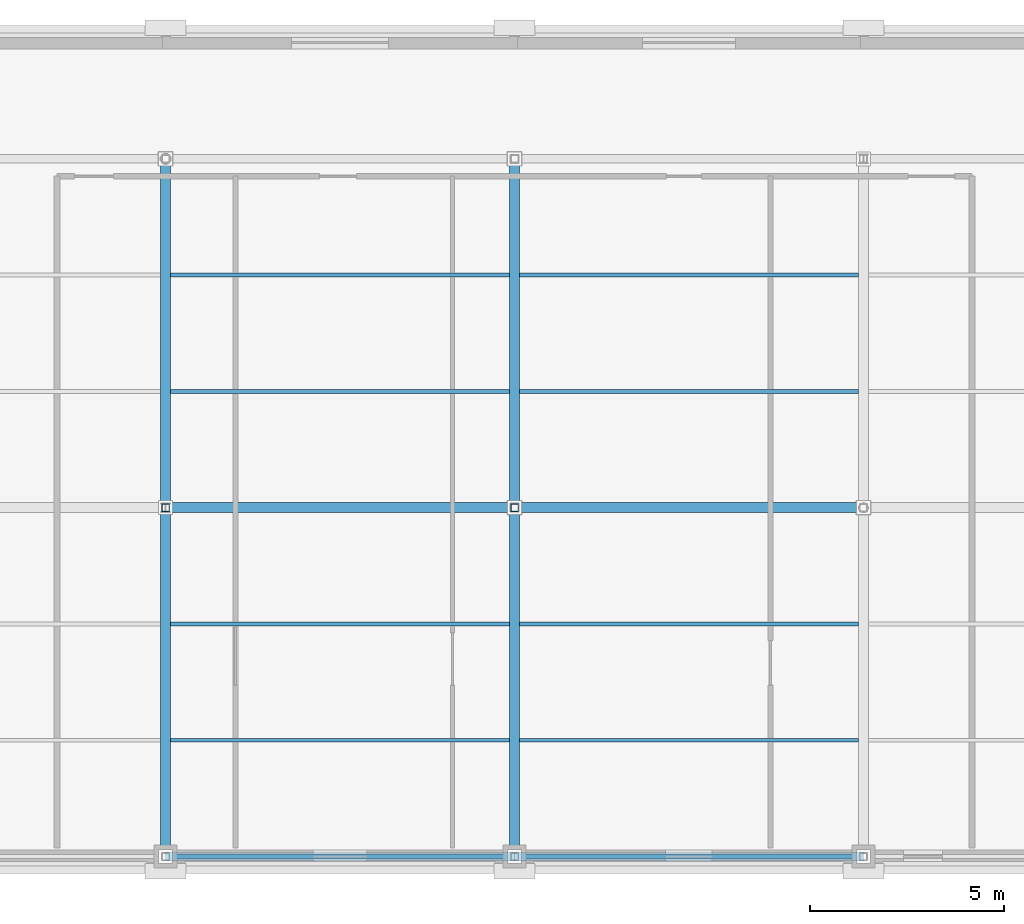
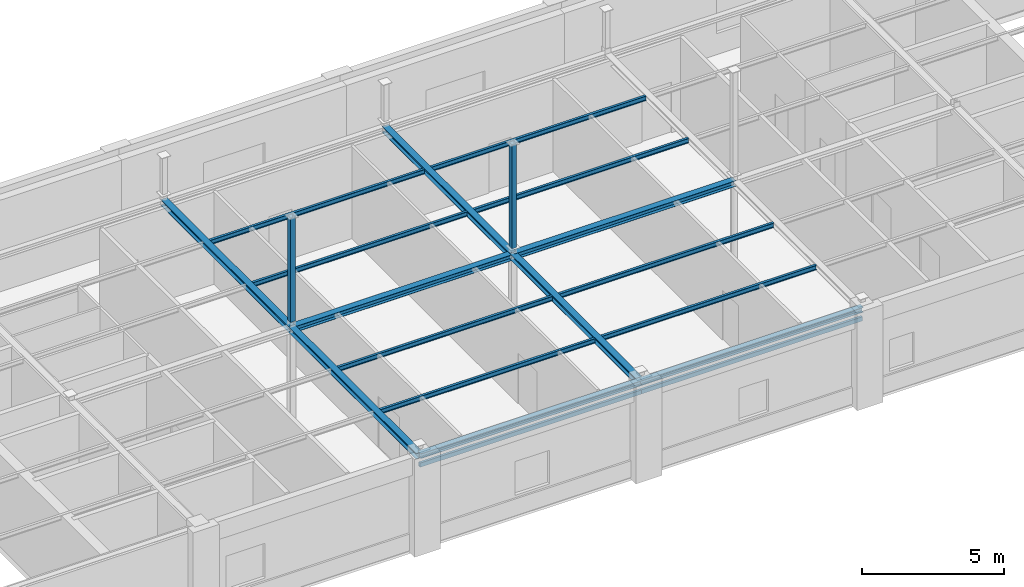
# One storey, part 4 of 13: 16 beams, 4 members.
"""IFC4 building model written with IfcOpenShell, lengths in metres."""

from ifc_helpers import new_model, si_unit, direction, frame, origin, origin_2d, place, context, subcontext, project, spatial, hollow_rectangle, i_section, extrude, material, material_profile, profile_set, type_object, element, save


model = new_model("IFC4")

# Units and contexts
model_context = context("Model", 3, precision=1e-05, world=origin(), true_north=direction((0.0, 1.0)))
body_context = subcontext(model_context, "Body", "Model", "MODEL_VIEW")
ifc_project = project(units=[si_unit("LENGTHUNIT", "METRE"), si_unit("AREAUNIT", "SQUARE_METRE"), si_unit("VOLUMEUNIT", "CUBIC_METRE"), si_unit("PLANEANGLEUNIT", "RADIAN"), si_unit("MASSUNIT", "GRAM", prefix="KILO")], contexts=[model_context])

# Site, building, storey
site_placement = place(None, origin())
site = spatial("IfcSite", under=ifc_project, at=site_placement, CompositionType="ELEMENT")
building_placement = place(site_placement, origin())
building = spatial("IfcBuilding", under=site, at=building_placement, Name="Lykobir Media Centre", CompositionType="ELEMENT")
storey_placement = place(building_placement, frame((0.0, 0.0, 36.0)))
storey = spatial("IfcBuildingStorey", under=building, at=storey_placement, Name="L08", CompositionType="ELEMENT", Elevation=36.0)

# Beams
ifc_material = material(Name="Steel S355", Category="steel")
ifc_material_profile_1 = material_profile(ifc_material, i_section(OverallWidth=0.260009765625, OverallDepth=0.25, WebThickness=0.007568359375, FlangeThickness=0.012451171875, at=origin_2d()), Name="HEA 260")
ifc_profile_set_1 = profile_set([ifc_material_profile_1], Name="Steel S355")
beam_type_1 = type_object("IfcBeamType", Name="BM-HEA260", PredefinedType="BEAM", material=ifc_profile_set_1)
for number, where, z_axis, x_axis, name in (
    (1, (45.0, 9.0, 3.85498046875), (1.0, 0.0, 0.0), (0.0, 1.0, 0.0), "Beam BM-L08-0450-0090-0540-0090-3985"),
    (2, (54.0, 9.0, 3.85498046875), (1.0, 0.0, 0.0), (0.0, 1.0, 0.0), "Beam BM-L08-0540-0090-0630-0090-3985"),
    (3, (45.0, 0.0, 3.85498046875), (0.0, 1.0, 0.0), (-1.0, 0.0, 0.0), "Beam BM-L08-0450-0000-0450-0090-3985"),
    (4, (45.0, 9.0, 3.85498046875), (0.0, 1.0, 0.0), (-1.0, 0.0, 0.0), "Beam BM-L08-0450-0090-0450-0180-3985"),
    (5, (54.0, 0.0, 3.85498046875), (0.0, 1.0, 0.0), (-1.0, 0.0, 0.0), "Beam BM-L08-0540-0000-0540-0090-3985"),
    (6, (54.0, 9.0, 3.85498046875), (0.0, 1.0, 0.0), (-1.0, 0.0, 0.0), "Beam BM-L08-0540-0090-0540-0180-3985"),
):
    element("IfcBeam", number, at=place(storey_placement, frame(where, z_axis=z_axis, x_axis=x_axis)), inside=storey, type_object=beam_type_1, Name=name, PredefinedType="BEAM", context=body_context, shape_type="SweptSolid", body=[
        extrude(i_section(OverallWidth=0.260009765625, OverallDepth=0.25, WebThickness=0.007568359375, FlangeThickness=0.012451171875, at=origin_2d()), origin(), (0.0, 0.0, 1.0), 9.0),
    ])
ifc_material_profile_2 = material_profile(ifc_material, i_section(OverallWidth=0.10009765625, OverallDepth=0.199951171875, WebThickness=0.005615234375, FlangeThickness=0.008544921875, at=origin_2d()), Name="IPE 200")
ifc_profile_set_2 = profile_set([ifc_material_profile_2], Name="Steel S355")
beam_type_2 = type_object("IfcBeamType", Name="JS-IPE200", PredefinedType="JOIST", material=ifc_profile_set_2)
for number, where, z_axis, x_axis, name in (
    (7, (45.1298828125, 3.0, 3.8798828125), (1.0, 0.0, 0.0), (0.0, 1.0, 0.0), "Beam BM-L08-0451-0030-0539-0030-3988"),
    (8, (45.1298828125, 6.0, 3.8798828125), (1.0, 0.0, 0.0), (0.0, 1.0, 0.0), "Beam BM-L08-0451-0060-0539-0060-3988"),
    (9, (45.1298828125, 12.0, 3.8798828125), (1.0, 0.0, 0.0), (0.0, 1.0, 0.0), "Beam BM-L08-0451-0120-0539-0120-3988"),
    (10, (45.1298828125, 15.0, 3.8798828125), (1.0, 0.0, 0.0), (0.0, 1.0, 0.0), "Beam BM-L08-0451-0150-0539-0150-3988"),
    (11, (54.1298828125, 3.0, 3.8798828125), (1.0, 0.0, 0.0), (0.0, 1.0, 0.0), "Beam BM-L08-0541-0030-0629-0030-3988"),
    (12, (54.1298828125, 6.0, 3.8798828125), (1.0, 0.0, 0.0), (0.0, 1.0, 0.0), "Beam BM-L08-0541-0060-0629-0060-3988"),
    (13, (54.1298828125, 12.0, 3.8798828125), (1.0, 0.0, 0.0), (0.0, 1.0, 0.0), "Beam BM-L08-0541-0120-0629-0120-3988"),
    (14, (54.1298828125, 15.0, 3.8798828125), (1.0, 0.0, 0.0), (0.0, 1.0, 0.0), "Beam BM-L08-0541-0150-0629-0150-3988"),
):
    element("IfcBeam", number, at=place(storey_placement, frame(where, z_axis=z_axis, x_axis=x_axis)), inside=storey, type_object=beam_type_2, Name=name, PredefinedType="JOIST", context=body_context, shape_type="SweptSolid", body=[
        extrude(i_section(OverallWidth=0.10009765625, OverallDepth=0.199951171875, WebThickness=0.005615234375, FlangeThickness=0.008544921875, at=origin_2d()), origin(), (0.0, 0.0, 1.0), 8.740234375),
    ])
ifc_material_profile_3 = material_profile(ifc_material, i_section(OverallWidth=0.219970703125, OverallDepth=0.2099609375, WebThickness=0.007080078125, FlangeThickness=0.010986328125, at=origin_2d()), Name="HEA 220")
ifc_profile_set_3 = profile_set([ifc_material_profile_3], Name="Steel S355")
beam_type_3 = type_object("IfcBeamType", Name="SP-HEA220-E", PredefinedType="SPANDREL", material=ifc_profile_set_3)
for number, where, z_axis, x_axis, name in (
    (15, (45.0, 0.0, 3.875), (1.0, 0.0, 0.0), (0.0, 1.0, 0.0), "Beam BM-L08-0450-0000-0540-0000-3988"),
    (16, (54.0, 0.0, 3.875), (1.0, 0.0, 0.0), (0.0, 1.0, 0.0), "Beam BM-L08-0540-0000-0630-0000-3988"),
):
    element("IfcBeam", number, at=place(storey_placement, frame(where, z_axis=z_axis, x_axis=x_axis)), inside=storey, type_object=beam_type_3, Name=name, PredefinedType="SPANDREL", context=body_context, shape_type="SweptSolid", body=[
        extrude(i_section(OverallWidth=0.219970703125, OverallDepth=0.2099609375, WebThickness=0.007080078125, FlangeThickness=0.010986328125, at=origin_2d()), origin(), (0.0, 0.0, 1.0), 9.0),
    ])

# Members
ifc_material_profile_4 = material_profile(ifc_material, hollow_rectangle(XDim=0.10009765625, YDim=0.179931640625, WallThickness=0.008056640625, at=origin_2d()), Name="RHS 180x100x8")
ifc_profile_set_4 = profile_set([ifc_material_profile_4], Name="Steel S355")
member_type_1 = type_object("IfcMemberType", Name="TC-RHS180-E", PredefinedType="CHORD", material=ifc_profile_set_4)
for number, where, z_axis, x_axis, name in (
    (17, (45.0, 0.0, 3.449951171875), (1.0, 0.0, 0.0), (0.0, 1.0, 0.0), "Truss chord MEM2-L08-0450-0000-0394-0540-0000-0510"),
    (18, (54.0, 0.0, 3.449951171875), (1.0, 0.0, 0.0), (0.0, 1.0, 0.0), "Truss chord MEM2-L08-0540-0000-0394-0630-0000-0511"),
):
    element("IfcMember", number, at=place(storey_placement, frame(where, z_axis=z_axis, x_axis=x_axis)), inside=storey, type_object=member_type_1, Name=name, PredefinedType="CHORD", context=body_context, shape_type="SweptSolid", body=[
        extrude(hollow_rectangle(XDim=0.10009765625, YDim=0.179931640625, WallThickness=0.008056640625, at=origin_2d()), origin(), (0.0, 0.0, 1.0), 9.0),
    ])
ifc_material_profile_5 = material_profile(ifc_material, hollow_rectangle(XDim=0.199951171875, YDim=0.199951171875, WallThickness=0.010009765625, at=origin_2d()), Name="SHS 200x200x10")
ifc_profile_set_5 = profile_set([ifc_material_profile_5], Name="Steel S355")
member_type_2 = type_object("IfcMemberType", Name="TC-SHS200", PredefinedType="CHORD", material=ifc_profile_set_5)
for number, where, z_axis, x_axis, name in (
    (19, (45.0, 9.0, 4.199951171875), (0.0, 0.0, 1.0), (1.0, 0.0, 0.0), "Truss chord MEM2-L08-0450-0090-0402-0450-0090-0047"),
    (20, (54.0, 9.0, 4.199951171875), (0.0, 0.0, 1.0), (1.0, 0.0, 0.0), "Truss chord MEM2-L08-0540-0090-0402-0540-0090-0050"),
):
    element("IfcMember", number, at=place(storey_placement, frame(where, z_axis=z_axis, x_axis=x_axis)), inside=storey, type_object=member_type_2, Name=name, PredefinedType="CHORD", context=body_context, shape_type="SweptSolid", body=[
        extrude(hollow_rectangle(XDim=0.199951171875, YDim=0.199951171875, WallThickness=0.010009765625, at=origin_2d()), origin(), (0.0, 0.0, 1.0), 4.484375),
    ])

save(model, "model.ifc")
